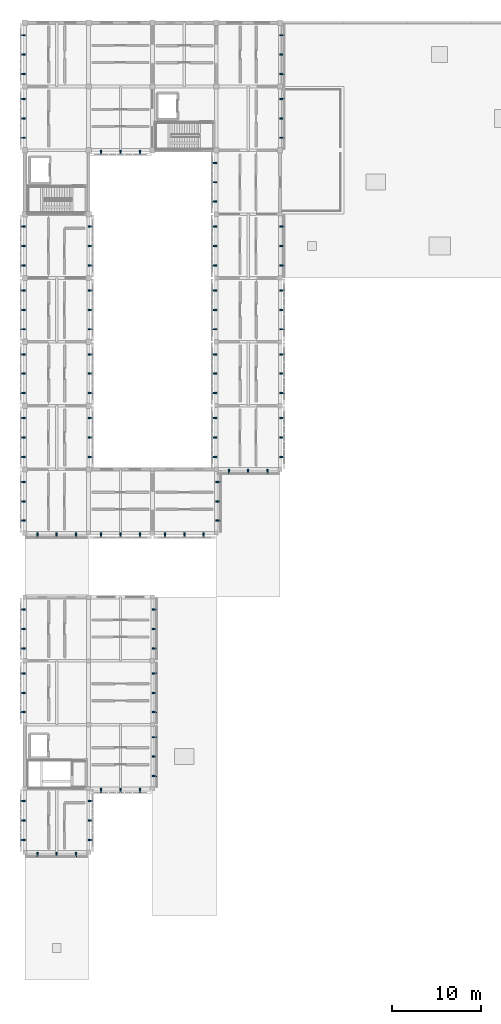
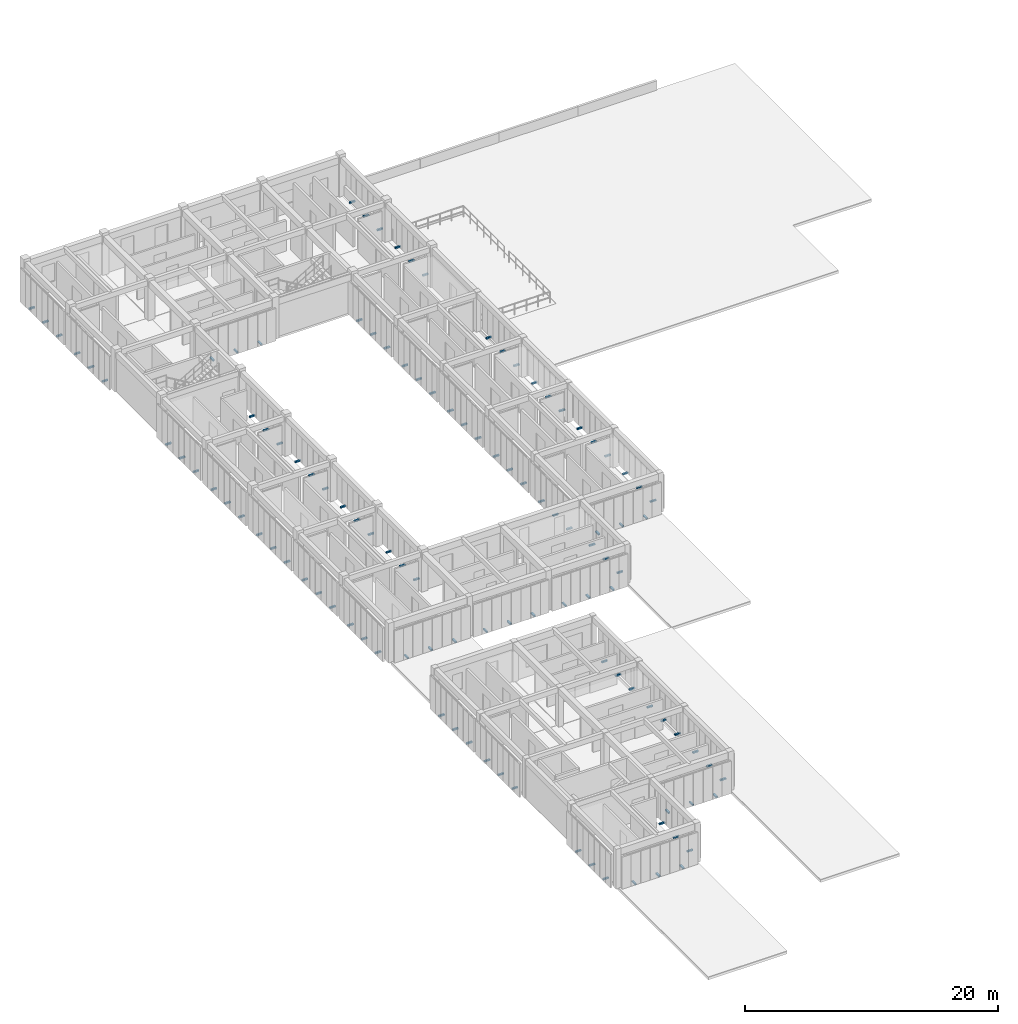
# One storey, part 62 of 67: 111 discrete accessories.
"""IFC4 building model written with IfcOpenShell, lengths in metres."""

import ifcopenshell
import ifcopenshell.guid

model = None  # the IFC model being written
_history = None  # IfcOwnerHistory: only IFC2X3 demands one
_inside = {}  # id of a spatial element -> (the spatial element, [elements in it])
_under = {}  # id of a project, library or spatial element -> (it, [spatial elements below it])
_declared = {}  # id of a project -> (the project, [libraries it declares])
_typed = {}  # id of a type object -> (the type object, [elements of that type])
_made_of = {}  # id of a material, layer set ... -> (it, [elements and type objects made of it])


def new_model(schema):
    """Start an empty IFC model of exactly this schema.

    Asked for "IFC4X3", IfcOpenShell would pick the latest addendum, in which some entities
    have other attributes; the version numbers below select the first issue.
    IFC2X3 requires an IfcOwnerHistory on every rooted entity: one is made here for all.
    """
    global model, _history
    if schema == "IFC4X3":
        model = ifcopenshell.file(schema_version=(4, 3, 0, 0))
    else:
        model = ifcopenshell.file(schema=schema)
    _inside.clear()
    _under.clear()
    _declared.clear()
    _typed.clear()
    _made_of.clear()
    _history = None
    if model.schema == "IFC2X3":
        org = make("IfcOrganization", Name="unknown")
        user = make(
            "IfcPersonAndOrganization",
            ThePerson=make("IfcPerson", FamilyName="unknown"),
            TheOrganization=org,
        )
        app = make(
            "IfcApplication",
            ApplicationDeveloper=org,
            Version="unknown",
            ApplicationFullName="unknown",
            ApplicationIdentifier="unknown",
        )
        _history = make(
            "IfcOwnerHistory",
            OwningUser=user,
            OwningApplication=app,
            ChangeAction="ADDED",
            CreationDate=0,
        )
    return model


def make(cls, **values):
    """One entity of the class cls with the attributes given. An attribute that is None is left unset."""
    return model.create_entity(
        cls, **{name: value for name, value in values.items() if value is not None}
    )


def rooted(cls, **values):
    """An entity with a GlobalId (a new one), such as an element, a storey or a relation."""
    return make(cls, GlobalId=ifcopenshell.guid.new(), OwnerHistory=_history, **values)


def si_unit(unit_type, name, prefix=None):
    """IfcSIUnit, for example si_unit("LENGTHUNIT", "METRE", prefix="MILLI")."""
    return make("IfcSIUnit", UnitType=unit_type, Prefix=prefix, Name=name)


def assignment(units):
    """IfcUnitAssignment: the units of a project."""
    return None if units is None else make("IfcUnitAssignment", Units=units)


def point(xyz):
    """IfcCartesianPoint."""
    return None if xyz is None else make("IfcCartesianPoint", Coordinates=xyz)


def direction(xyz):
    """IfcDirection."""
    return None if xyz is None else make("IfcDirection", DirectionRatios=xyz)


def frame(location, z_axis=None, x_axis=None):
    """IfcAxis2Placement3D, a coordinate frame: its origin and axes. An axis left out is left unset."""
    return make(
        "IfcAxis2Placement3D",
        Location=point(location),
        Axis=direction(z_axis),
        RefDirection=direction(x_axis),
    )


def frame_2d(location, x_axis=None):
    """IfcAxis2Placement2D, a coordinate frame in the plane: its origin and x axis."""
    return make(
        "IfcAxis2Placement2D", Location=point(location), RefDirection=direction(x_axis)
    )


def origin():
    """The frame at (0, 0, 0) with its axes left unset."""
    return frame((0.0, 0.0, 0.0))


def origin_2d():
    """The frame at (0, 0) in the plane with its x axis left unset."""
    return frame_2d((0.0, 0.0))


def place(relative_to, where):
    """IfcLocalPlacement: puts the frame where relative to a parent placement (None: the world)."""
    return make(
        "IfcLocalPlacement", PlacementRelTo=relative_to, RelativePlacement=where
    )


def context(
    kind, dimensions, precision=None, world=None, true_north=None, identifier=None
):
    """IfcGeometricRepresentationContext, for example the 3D "Model" context."""
    return make(
        "IfcGeometricRepresentationContext",
        ContextIdentifier=identifier,
        ContextType=kind,
        CoordinateSpaceDimension=dimensions,
        Precision=precision,
        WorldCoordinateSystem=world,
        TrueNorth=true_north,
    )


def subcontext(parent, identifier, kind, view, scale=None):
    """IfcGeometricRepresentationSubContext, for example "Body" below "Model"."""
    return make(
        "IfcGeometricRepresentationSubContext",
        ContextIdentifier=identifier,
        ContextType=kind,
        ParentContext=parent,
        TargetScale=scale,
        TargetView=view,
    )


def project(units=None, contexts=None):
    """IfcProject with its units and contexts."""
    return rooted(
        "IfcProject",
        Name="project",
        RepresentationContexts=contexts,
        UnitsInContext=assignment(units),
    )


def spatial(cls, under=None, at=None, **own):
    """A site, building, storey or space (cls), placed at a placement, below another one or the project."""
    s = rooted(cls, ObjectPlacement=at, **own)
    if under is not None:
        _under.setdefault(under.id(), (under, []))[1].append(s)
    return s


def profile(cls, at=None, kind="AREA", **sizes):
    """A parametric profile (cls). Its sizes go by their IFC names, for example OverallWidth=200.0."""
    return make(cls, ProfileType=kind, Position=at, **sizes)


def rectangle(**sizes):
    """IfcRectangleProfileDef."""
    return profile("IfcRectangleProfileDef", **sizes)


def extrude(swept, where, along, depth):
    """IfcExtrudedAreaSolid: the profile swept, set in the frame where, extruded along a direction by depth."""
    return make(
        "IfcExtrudedAreaSolid",
        SweptArea=swept,
        Position=where,
        ExtrudedDirection=direction(along),
        Depth=depth,
    )


def shape(context_of_items, identifier, shape_type, items):
    """IfcShapeRepresentation: the items that make up one representation, for example the "Body"."""
    return make(
        "IfcShapeRepresentation",
        ContextOfItems=context_of_items,
        RepresentationIdentifier=identifier,
        RepresentationType=shape_type,
        Items=items,
    )


def material(Name=None, Category=None):
    """IfcMaterial."""
    return make("IfcMaterial", Name=Name, Category=Category)


def made_of(thing, what):
    """Note that an element or type object is made of a material, layer set ...; save() writes the relation."""
    if what is not None:
        _made_of.setdefault(what.id(), (what, []))[1].append(thing)
    return thing


def type_object(cls, material=None, **own):
    """A type object (cls), such as IfcWallType, which elements share."""
    return made_of(rooted(cls, **own), material)


def element(
    cls,
    number,
    at=None,
    inside=None,
    cuts=None,
    type_object=None,
    material=None,
    context=None,
    identifier="Body",
    shape_type=None,
    held_by="IfcProductDefinitionShape",
    body=None,
    shapes=None,
    **own,
):
    """One element of the class cls, such as IfcWall. Its Tag is "e" and its number.

    at: its placement. inside: the storey or other place that contains it. cuts: it is an
    opening in that element (IfcRelVoidsElement). A single representation is given by context,
    identifier, shape_type and body (its items); several are given by shapes. held_by: the class
    of the entity that holds the representations. save() writes the other relations.
    """
    e = rooted(cls, Tag="e%d" % number, ObjectPlacement=at, **own)
    if body is not None:
        shapes = [shape(context, identifier, shape_type, body)]
    if shapes is not None:
        e.Representation = make(held_by, Representations=shapes)
    if inside is not None:
        _inside.setdefault(inside.id(), (inside, []))[1].append(e)
    if cuts is not None:
        rooted(
            "IfcRelVoidsElement", RelatingBuildingElement=cuts, RelatedOpeningElement=e
        )
    if type_object is not None:
        _typed.setdefault(type_object.id(), (type_object, []))[1].append(e)
    return made_of(e, material)


def aggregate(whole, parts):
    """IfcRelAggregates: a whole, such as a stair, and the parts it consists of."""
    return rooted("IfcRelAggregates", RelatingObject=whole, RelatedObjects=parts)


def save(model, path):
    """Write the relations noted so far, then the file.

    IfcRelAggregates (storeys below a building ...), IfcRelContainedInSpatialStructure (elements
    in a storey), IfcRelDefinesByType, IfcRelAssociatesMaterial and IfcRelDeclares: one each for
    every whole, place, type object, material and project.
    """
    for whole, parts in _under.values():
        aggregate(whole, parts)
    for where, things in _inside.values():
        rooted(
            "IfcRelContainedInSpatialStructure",
            RelatedElements=things,
            RelatingStructure=where,
        )
    for kind, things in _typed.values():
        rooted("IfcRelDefinesByType", RelatedObjects=things, RelatingType=kind)
    for what, things in _made_of.values():
        rooted("IfcRelAssociatesMaterial", RelatedObjects=things, RelatingMaterial=what)
    for by, libraries in _declared.values():
        rooted("IfcRelDeclares", RelatingContext=by, RelatedDefinitions=libraries)
    model.write(path)


model = new_model("IFC4")

# Units and contexts
model_context = context("Model", 3, precision=1e-05, world=origin(), true_north=direction((0.0, 1.0)))
body_context = subcontext(model_context, "Body", "Model", "MODEL_VIEW")
ifc_project = project(units=[si_unit("LENGTHUNIT", "METRE"), si_unit("AREAUNIT", "SQUARE_METRE"), si_unit("VOLUMEUNIT", "CUBIC_METRE"), si_unit("PLANEANGLEUNIT", "RADIAN"), si_unit("MASSUNIT", "GRAM", prefix="KILO")], contexts=[model_context])

# Site, building, storey
site_placement = place(None, origin())
site = spatial("IfcSite", under=ifc_project, at=site_placement, CompositionType="ELEMENT")
building_placement = place(site_placement, origin())
building = spatial("IfcBuilding", under=site, at=building_placement, Name="Aldebral Square Health Centre", CompositionType="ELEMENT")
storey_placement = place(building_placement, frame((0.0, 0.0, 13.5)))
storey = spatial("IfcBuildingStorey", under=building, at=storey_placement, Name="L03", CompositionType="ELEMENT", Elevation=13.5)

# Discrete accessories
ifc_material = material(Name="Steel S355JR", Category="steel")
discrete_accessory_type = type_object("IfcDiscreteAccessoryType", Name="ACC-BRK-1", PredefinedType="BRACKET", material=ifc_material)
for number, where, z_axis, x_axis, name in (
    (1, (1.416015625, 21.3701171875, -0.009765625), (0.0, 0.0, 1.0), (1.0, 0.0, 0.0), "L03 finned curtain-wall bracket L03-V6-00-03-S.1"),
    (2, (3.60009765625, 21.3701171875, -0.009765625), (0.0, 0.0, 1.0), (1.0, 0.0, 0.0), "L03 finned curtain-wall bracket L03-V6-00-03-S.2"),
    (3, (5.783935546875, 21.3701171875, -0.009765625), (0.0, 0.0, 1.0), (1.0, 0.0, 0.0), "L03 finned curtain-wall bracket L03-V6-00-03-S.3"),
    (4, (-0.22998046875, 27.384033203125, -0.009765625), (0.0, 0.0, 1.0), (0.0, 1.0, 0.0), "L03 finned curtain-wall bracket L03-V6-00-03-W.1"),
    (5, (-0.22998046875, 25.199951171875, -0.009765625), (0.0, 0.0, 1.0), (0.0, 1.0, 0.0), "L03 finned curtain-wall bracket L03-V6-00-03-W.2"),
    (6, (-0.22998046875, 23.01611328125, -0.009765625), (0.0, 0.0, 1.0), (0.0, 1.0, 0.0), "L03 finned curtain-wall bracket L03-V6-00-03-W.3"),
    (7, (7.429931640625, 23.01611328125, -0.009765625), (0.0, 0.0, 1.0), (0.0, 1.0, 0.0), "L03 finned curtain-wall bracket L03-V6-00-03-E.1"),
    (8, (7.429931640625, 25.199951171875, -0.009765625), (0.0, 0.0, 1.0), (0.0, 1.0, 0.0), "L03 finned curtain-wall bracket L03-V6-00-03-E.2"),
    (9, (7.429931640625, 27.384033203125, -0.009765625), (0.0, 0.0, 1.0), (0.0, 1.0, 0.0), "L03 finned curtain-wall bracket L03-V6-00-03-E.3"),
    (10, (-0.22998046875, 41.783935546875, -0.009765625), (0.0, 0.0, 1.0), (0.0, 1.0, 0.0), "L03 finned curtain-wall bracket L03-V6-00-05-W.1"),
    (11, (-0.22998046875, 39.60009765625, -0.009765625), (0.0, 0.0, 1.0), (0.0, 1.0, 0.0), "L03 finned curtain-wall bracket L03-V6-00-05-W.2"),
    (12, (-0.22998046875, 37.416015625, -0.009765625), (0.0, 0.0, 1.0), (0.0, 1.0, 0.0), "L03 finned curtain-wall bracket L03-V6-00-05-W.3"),
    (13, (-0.22998046875, 48.98388671875, -0.009765625), (0.0, 0.0, 1.0), (0.0, 1.0, 0.0), "L03 finned curtain-wall bracket L03-V6-00-06-W.1"),
    (14, (-0.22998046875, 46.800048828125, -0.009765625), (0.0, 0.0, 1.0), (0.0, 1.0, 0.0), "L03 finned curtain-wall bracket L03-V6-00-06-W.2"),
    (15, (-0.22998046875, 44.615966796875, -0.009765625), (0.0, 0.0, 1.0), (0.0, 1.0, 0.0), "L03 finned curtain-wall bracket L03-V6-00-06-W.3"),
    (16, (1.416015625, 57.3701171875, -0.009765625), (0.0, 0.0, 1.0), (1.0, 0.0, 0.0), "L03 finned curtain-wall bracket L03-V4-00-08-S.1"),
    (17, (3.60009765625, 57.3701171875, -0.009765625), (0.0, 0.0, 1.0), (1.0, 0.0, 0.0), "L03 finned curtain-wall bracket L03-V4-00-08-S.2"),
    (18, (5.783935546875, 57.3701171875, -0.009765625), (0.0, 0.0, 1.0), (1.0, 0.0, 0.0), "L03 finned curtain-wall bracket L03-V4-00-08-S.3"),
    (19, (-0.22998046875, 63.384033203125, -0.009765625), (0.0, 0.0, 1.0), (0.0, 1.0, 0.0), "L03 finned curtain-wall bracket L03-V4-00-08-W.1"),
    (20, (-0.22998046875, 61.199951171875, -0.009765625), (0.0, 0.0, 1.0), (0.0, 1.0, 0.0), "L03 finned curtain-wall bracket L03-V4-00-08-W.2"),
    (21, (-0.22998046875, 59.01611328125, -0.009765625), (0.0, 0.0, 1.0), (0.0, 1.0, 0.0), "L03 finned curtain-wall bracket L03-V4-00-08-W.3"),
    (22, (-0.22998046875, 70.583984375, -0.009765625), (0.0, 0.0, 1.0), (0.0, 1.0, 0.0), "L03 finned curtain-wall bracket L03-V4-00-09-W.1"),
    (23, (-0.22998046875, 68.39990234375, -0.009765625), (0.0, 0.0, 1.0), (0.0, 1.0, 0.0), "L03 finned curtain-wall bracket L03-V4-00-09-W.2"),
    (24, (-0.22998046875, 66.216064453125, -0.009765625), (0.0, 0.0, 1.0), (0.0, 1.0, 0.0), "L03 finned curtain-wall bracket L03-V4-00-09-W.3"),
    (25, (7.429931640625, 66.216064453125, -0.009765625), (0.0, 0.0, 1.0), (0.0, 1.0, 0.0), "L03 finned curtain-wall bracket L03-V4-00-09-E.1"),
    (26, (7.429931640625, 68.39990234375, -0.009765625), (0.0, 0.0, 1.0), (0.0, 1.0, 0.0), "L03 finned curtain-wall bracket L03-V4-00-09-E.2"),
    (27, (7.429931640625, 70.583984375, -0.009765625), (0.0, 0.0, 1.0), (0.0, 1.0, 0.0), "L03 finned curtain-wall bracket L03-V4-00-09-E.3"),
    (28, (-0.22998046875, 77.783935546875, -0.009765625), (0.0, 0.0, 1.0), (0.0, 1.0, 0.0), "L03 finned curtain-wall bracket L03-V4-00-10-W.1"),
    (29, (-0.22998046875, 75.60009765625, -0.009765625), (0.0, 0.0, 1.0), (0.0, 1.0, 0.0), "L03 finned curtain-wall bracket L03-V4-00-10-W.2"),
    (30, (-0.22998046875, 73.416015625, -0.009765625), (0.0, 0.0, 1.0), (0.0, 1.0, 0.0), "L03 finned curtain-wall bracket L03-V4-00-10-W.3"),
    (31, (7.429931640625, 73.416015625, -0.009765625), (0.0, 0.0, 1.0), (0.0, 1.0, 0.0), "L03 finned curtain-wall bracket L03-V4-00-10-E.1"),
    (32, (7.429931640625, 75.60009765625, -0.009765625), (0.0, 0.0, 1.0), (0.0, 1.0, 0.0), "L03 finned curtain-wall bracket L03-V4-00-10-E.2"),
    (33, (7.429931640625, 77.783935546875, -0.009765625), (0.0, 0.0, 1.0), (0.0, 1.0, 0.0), "L03 finned curtain-wall bracket L03-V4-00-10-E.3"),
    (34, (-0.22998046875, 84.98388671875, -0.009765625), (0.0, 0.0, 1.0), (0.0, 1.0, 0.0), "L03 finned curtain-wall bracket L03-V4-00-11-W.1"),
    (35, (-0.22998046875, 82.800048828125, -0.009765625), (0.0, 0.0, 1.0), (0.0, 1.0, 0.0), "L03 finned curtain-wall bracket L03-V4-00-11-W.2"),
    (36, (-0.22998046875, 80.615966796875, -0.009765625), (0.0, 0.0, 1.0), (0.0, 1.0, 0.0), "L03 finned curtain-wall bracket L03-V4-00-11-W.3"),
    (37, (7.429931640625, 80.615966796875, -0.009765625), (0.0, 0.0, 1.0), (0.0, 1.0, 0.0), "L03 finned curtain-wall bracket L03-V4-00-11-E.1"),
    (38, (7.429931640625, 82.800048828125, -0.009765625), (0.0, 0.0, 1.0), (0.0, 1.0, 0.0), "L03 finned curtain-wall bracket L03-V4-00-11-E.2"),
    (39, (7.429931640625, 84.98388671875, -0.009765625), (0.0, 0.0, 1.0), (0.0, 1.0, 0.0), "L03 finned curtain-wall bracket L03-V4-00-11-E.3"),
    (40, (-0.22998046875, 92.18408203125, -0.009765625), (0.0, 0.0, 1.0), (0.0, 1.0, 0.0), "L03 finned curtain-wall bracket L03-V4-00-12-W.1"),
    (41, (-0.22998046875, 90.0, -0.009765625), (0.0, 0.0, 1.0), (0.0, 1.0, 0.0), "L03 finned curtain-wall bracket L03-V4-00-12-W.2"),
    (42, (-0.22998046875, 87.81591796875, -0.009765625), (0.0, 0.0, 1.0), (0.0, 1.0, 0.0), "L03 finned curtain-wall bracket L03-V4-00-12-W.3"),
    (43, (7.429931640625, 87.81591796875, -0.009765625), (0.0, 0.0, 1.0), (0.0, 1.0, 0.0), "L03 finned curtain-wall bracket L03-V4-00-12-E.1"),
    (44, (7.429931640625, 90.0, -0.009765625), (0.0, 0.0, 1.0), (0.0, 1.0, 0.0), "L03 finned curtain-wall bracket L03-V4-00-12-E.2"),
    (45, (7.429931640625, 92.18408203125, -0.009765625), (0.0, 0.0, 1.0), (0.0, 1.0, 0.0), "L03 finned curtain-wall bracket L03-V4-00-12-E.3"),
    (46, (-0.22998046875, 106.583984375, -0.009765625), (0.0, 0.0, 1.0), (0.0, 1.0, 0.0), "L03 finned curtain-wall bracket L03-V4-00-14-W.1"),
    (47, (-0.22998046875, 104.39990234375, -0.009765625), (0.0, 0.0, 1.0), (0.0, 1.0, 0.0), "L03 finned curtain-wall bracket L03-V4-00-14-W.2"),
    (48, (-0.22998046875, 102.216064453125, -0.009765625), (0.0, 0.0, 1.0), (0.0, 1.0, 0.0), "L03 finned curtain-wall bracket L03-V4-00-14-W.3"),
    (49, (-0.22998046875, 113.783935546875, -0.009765625), (0.0, 0.0, 1.0), (0.0, 1.0, 0.0), "L03 finned curtain-wall bracket L03-V4-00-15-W.1"),
    (50, (-0.22998046875, 111.60009765625, -0.009765625), (0.0, 0.0, 1.0), (0.0, 1.0, 0.0), "L03 finned curtain-wall bracket L03-V4-00-15-W.2"),
    (51, (-0.22998046875, 109.416015625, -0.009765625), (0.0, 0.0, 1.0), (0.0, 1.0, 0.0), "L03 finned curtain-wall bracket L03-V4-00-15-W.3"),
    (52, (8.615966796875, 28.570068359375, -0.009765625), (0.0, 0.0, 1.0), (1.0, 0.0, 0.0), "L03 finned curtain-wall bracket L03-V6-01-04-S.1"),
    (53, (10.800048828125, 28.570068359375, -0.009765625), (0.0, 0.0, 1.0), (1.0, 0.0, 0.0), "L03 finned curtain-wall bracket L03-V6-01-04-S.2"),
    (54, (12.98388671875, 28.570068359375, -0.009765625), (0.0, 0.0, 1.0), (1.0, 0.0, 0.0), "L03 finned curtain-wall bracket L03-V6-01-04-S.3"),
    (55, (14.6298828125, 30.216064453125, -0.009765625), (0.0, 0.0, 1.0), (0.0, 1.0, 0.0), "L03 finned curtain-wall bracket L03-V6-01-04-E.1"),
    (56, (14.6298828125, 32.39990234375, -0.009765625), (0.0, 0.0, 1.0), (0.0, 1.0, 0.0), "L03 finned curtain-wall bracket L03-V6-01-04-E.2"),
    (57, (14.6298828125, 34.583984375, -0.009765625), (0.0, 0.0, 1.0), (0.0, 1.0, 0.0), "L03 finned curtain-wall bracket L03-V6-01-04-E.3"),
    (58, (14.6298828125, 37.416015625, -0.009765625), (0.0, 0.0, 1.0), (0.0, 1.0, 0.0), "L03 finned curtain-wall bracket L03-V6-01-05-E.1"),
    (59, (14.6298828125, 39.60009765625, -0.009765625), (0.0, 0.0, 1.0), (0.0, 1.0, 0.0), "L03 finned curtain-wall bracket L03-V6-01-05-E.2"),
    (60, (14.6298828125, 41.783935546875, -0.009765625), (0.0, 0.0, 1.0), (0.0, 1.0, 0.0), "L03 finned curtain-wall bracket L03-V6-01-05-E.3"),
    (61, (14.6298828125, 44.615966796875, -0.009765625), (0.0, 0.0, 1.0), (0.0, 1.0, 0.0), "L03 finned curtain-wall bracket L03-V6-01-06-E.1"),
    (62, (14.6298828125, 46.800048828125, -0.009765625), (0.0, 0.0, 1.0), (0.0, 1.0, 0.0), "L03 finned curtain-wall bracket L03-V6-01-06-E.2"),
    (63, (14.6298828125, 48.98388671875, -0.009765625), (0.0, 0.0, 1.0), (0.0, 1.0, 0.0), "L03 finned curtain-wall bracket L03-V6-01-06-E.3"),
    (64, (8.615966796875, 57.3701171875, -0.009765625), (0.0, 0.0, 1.0), (1.0, 0.0, 0.0), "L03 finned curtain-wall bracket L03-V4-01-08-S.1"),
    (65, (10.800048828125, 57.3701171875, -0.009765625), (0.0, 0.0, 1.0), (1.0, 0.0, 0.0), "L03 finned curtain-wall bracket L03-V4-01-08-S.2"),
    (66, (12.98388671875, 57.3701171875, -0.009765625), (0.0, 0.0, 1.0), (1.0, 0.0, 0.0), "L03 finned curtain-wall bracket L03-V4-01-08-S.3"),
    (67, (8.615966796875, 100.570068359375, -0.009765625), (0.0, 0.0, 1.0), (1.0, 0.0, 0.0), "L03 finned curtain-wall bracket L03-V4-01-14-S.1"),
    (68, (10.800048828125, 100.570068359375, -0.009765625), (0.0, 0.0, 1.0), (1.0, 0.0, 0.0), "L03 finned curtain-wall bracket L03-V4-01-14-S.2"),
    (69, (12.98388671875, 100.570068359375, -0.009765625), (0.0, 0.0, 1.0), (1.0, 0.0, 0.0), "L03 finned curtain-wall bracket L03-V4-01-14-S.3"),
    (70, (15.81591796875, 57.3701171875, -0.009765625), (0.0, 0.0, 1.0), (1.0, 0.0, 0.0), "L03 finned curtain-wall bracket L03-V4-02-08-S.1"),
    (71, (18.0, 57.3701171875, -0.009765625), (0.0, 0.0, 1.0), (1.0, 0.0, 0.0), "L03 finned curtain-wall bracket L03-V4-02-08-S.2"),
    (72, (20.18408203125, 57.3701171875, -0.009765625), (0.0, 0.0, 1.0), (1.0, 0.0, 0.0), "L03 finned curtain-wall bracket L03-V4-02-08-S.3"),
    (73, (21.830078125, 59.01611328125, -0.009765625), (0.0, 0.0, 1.0), (0.0, 1.0, 0.0), "L03 finned curtain-wall bracket L03-V4-02-08-E.1"),
    (74, (21.830078125, 61.199951171875, -0.009765625), (0.0, 0.0, 1.0), (0.0, 1.0, 0.0), "L03 finned curtain-wall bracket L03-V4-02-08-E.2"),
    (75, (21.830078125, 63.384033203125, -0.009765625), (0.0, 0.0, 1.0), (0.0, 1.0, 0.0), "L03 finned curtain-wall bracket L03-V4-02-08-E.3"),
    (76, (23.01611328125, 64.570068359375, -0.009765625), (0.0, 0.0, 1.0), (1.0, 0.0, 0.0), "L03 finned curtain-wall bracket L03-V4-03-09-S.1"),
    (77, (25.199951171875, 64.570068359375, -0.009765625), (0.0, 0.0, 1.0), (1.0, 0.0, 0.0), "L03 finned curtain-wall bracket L03-V4-03-09-S.2"),
    (78, (27.384033203125, 64.570068359375, -0.009765625), (0.0, 0.0, 1.0), (1.0, 0.0, 0.0), "L03 finned curtain-wall bracket L03-V4-03-09-S.3"),
    (79, (21.3701171875, 70.583984375, -0.009765625), (0.0, 0.0, 1.0), (0.0, 1.0, 0.0), "L03 finned curtain-wall bracket L03-V4-03-09-W.1"),
    (80, (21.3701171875, 68.39990234375, -0.009765625), (0.0, 0.0, 1.0), (0.0, 1.0, 0.0), "L03 finned curtain-wall bracket L03-V4-03-09-W.2"),
    (81, (21.3701171875, 66.216064453125, -0.009765625), (0.0, 0.0, 1.0), (0.0, 1.0, 0.0), "L03 finned curtain-wall bracket L03-V4-03-09-W.3"),
    (82, (29.030029296875, 66.216064453125, -0.009765625), (0.0, 0.0, 1.0), (0.0, 1.0, 0.0), "L03 finned curtain-wall bracket L03-V4-03-09-E.1"),
    (83, (29.030029296875, 68.39990234375, -0.009765625), (0.0, 0.0, 1.0), (0.0, 1.0, 0.0), "L03 finned curtain-wall bracket L03-V4-03-09-E.2"),
    (84, (29.030029296875, 70.583984375, -0.009765625), (0.0, 0.0, 1.0), (0.0, 1.0, 0.0), "L03 finned curtain-wall bracket L03-V4-03-09-E.3"),
    (85, (21.3701171875, 77.783935546875, -0.009765625), (0.0, 0.0, 1.0), (0.0, 1.0, 0.0), "L03 finned curtain-wall bracket L03-V4-03-10-W.1"),
    (86, (21.3701171875, 75.60009765625, -0.009765625), (0.0, 0.0, 1.0), (0.0, 1.0, 0.0), "L03 finned curtain-wall bracket L03-V4-03-10-W.2"),
    (87, (21.3701171875, 73.416015625, -0.009765625), (0.0, 0.0, 1.0), (0.0, 1.0, 0.0), "L03 finned curtain-wall bracket L03-V4-03-10-W.3"),
    (88, (29.030029296875, 73.416015625, -0.009765625), (0.0, 0.0, 1.0), (0.0, 1.0, 0.0), "L03 finned curtain-wall bracket L03-V4-03-10-E.1"),
    (89, (29.030029296875, 75.60009765625, -0.009765625), (0.0, 0.0, 1.0), (0.0, 1.0, 0.0), "L03 finned curtain-wall bracket L03-V4-03-10-E.2"),
    (90, (29.030029296875, 77.783935546875, -0.009765625), (0.0, 0.0, 1.0), (0.0, 1.0, 0.0), "L03 finned curtain-wall bracket L03-V4-03-10-E.3"),
    (91, (21.3701171875, 84.98388671875, -0.009765625), (0.0, 0.0, 1.0), (0.0, 1.0, 0.0), "L03 finned curtain-wall bracket L03-V4-03-11-W.1"),
    (92, (21.3701171875, 82.800048828125, -0.009765625), (0.0, 0.0, 1.0), (0.0, 1.0, 0.0), "L03 finned curtain-wall bracket L03-V4-03-11-W.2"),
    (93, (21.3701171875, 80.615966796875, -0.009765625), (0.0, 0.0, 1.0), (0.0, 1.0, 0.0), "L03 finned curtain-wall bracket L03-V4-03-11-W.3"),
    (94, (29.030029296875, 80.615966796875, -0.009765625), (0.0, 0.0, 1.0), (0.0, 1.0, 0.0), "L03 finned curtain-wall bracket L03-V4-03-11-E.1"),
    (95, (29.030029296875, 82.800048828125, -0.009765625), (0.0, 0.0, 1.0), (0.0, 1.0, 0.0), "L03 finned curtain-wall bracket L03-V4-03-11-E.2"),
    (96, (29.030029296875, 84.98388671875, -0.009765625), (0.0, 0.0, 1.0), (0.0, 1.0, 0.0), "L03 finned curtain-wall bracket L03-V4-03-11-E.3"),
    (97, (21.3701171875, 92.18408203125, -0.009765625), (0.0, 0.0, 1.0), (0.0, 1.0, 0.0), "L03 finned curtain-wall bracket L03-V4-03-12-W.1"),
    (98, (21.3701171875, 90.0, -0.009765625), (0.0, 0.0, 1.0), (0.0, 1.0, 0.0), "L03 finned curtain-wall bracket L03-V4-03-12-W.2"),
    (99, (21.3701171875, 87.81591796875, -0.009765625), (0.0, 0.0, 1.0), (0.0, 1.0, 0.0), "L03 finned curtain-wall bracket L03-V4-03-12-W.3"),
    (100, (29.030029296875, 87.81591796875, -0.009765625), (0.0, 0.0, 1.0), (0.0, 1.0, 0.0), "L03 finned curtain-wall bracket L03-V4-03-12-E.1"),
    (101, (29.030029296875, 90.0, -0.009765625), (0.0, 0.0, 1.0), (0.0, 1.0, 0.0), "L03 finned curtain-wall bracket L03-V4-03-12-E.2"),
    (102, (29.030029296875, 92.18408203125, -0.009765625), (0.0, 0.0, 1.0), (0.0, 1.0, 0.0), "L03 finned curtain-wall bracket L03-V4-03-12-E.3"),
    (103, (21.3701171875, 99.384033203125, -0.009765625), (0.0, 0.0, 1.0), (0.0, 1.0, 0.0), "L03 finned curtain-wall bracket L03-V4-03-13-W.1"),
    (104, (21.3701171875, 97.199951171875, -0.009765625), (0.0, 0.0, 1.0), (0.0, 1.0, 0.0), "L03 finned curtain-wall bracket L03-V4-03-13-W.2"),
    (105, (21.3701171875, 95.01611328125, -0.009765625), (0.0, 0.0, 1.0), (0.0, 1.0, 0.0), "L03 finned curtain-wall bracket L03-V4-03-13-W.3"),
    (106, (29.030029296875, 102.216064453125, -0.009765625), (0.0, 0.0, 1.0), (0.0, 1.0, 0.0), "L03 finned curtain-wall bracket L03-V4-03-14-E.1"),
    (107, (29.030029296875, 104.39990234375, -0.009765625), (0.0, 0.0, 1.0), (0.0, 1.0, 0.0), "L03 finned curtain-wall bracket L03-V4-03-14-E.2"),
    (108, (29.030029296875, 106.583984375, -0.009765625), (0.0, 0.0, 1.0), (0.0, 1.0, 0.0), "L03 finned curtain-wall bracket L03-V4-03-14-E.3"),
    (109, (29.030029296875, 109.416015625, -0.009765625), (0.0, 0.0, 1.0), (0.0, 1.0, 0.0), "L03 finned curtain-wall bracket L03-V4-03-15-E.1"),
    (110, (29.030029296875, 111.60009765625, -0.009765625), (0.0, 0.0, 1.0), (0.0, 1.0, 0.0), "L03 finned curtain-wall bracket L03-V4-03-15-E.2"),
    (111, (29.030029296875, 113.783935546875, -0.009765625), (0.0, 0.0, 1.0), (0.0, 1.0, 0.0), "L03 finned curtain-wall bracket L03-V4-03-15-E.3"),
):
    element("IfcDiscreteAccessory", number, at=place(storey_placement, frame(where, z_axis=z_axis, x_axis=x_axis)), inside=storey, type_object=discrete_accessory_type, Name=name, PredefinedType="BRACKET", context=body_context, shape_type="SweptSolid", body=[
        extrude(rectangle(XDim=0.159912109375, YDim=0.52001953125, at=origin_2d()), origin(), (0.0, 0.0, 1.0), 0.139892578125),
    ])

save(model, "model.ifc")
